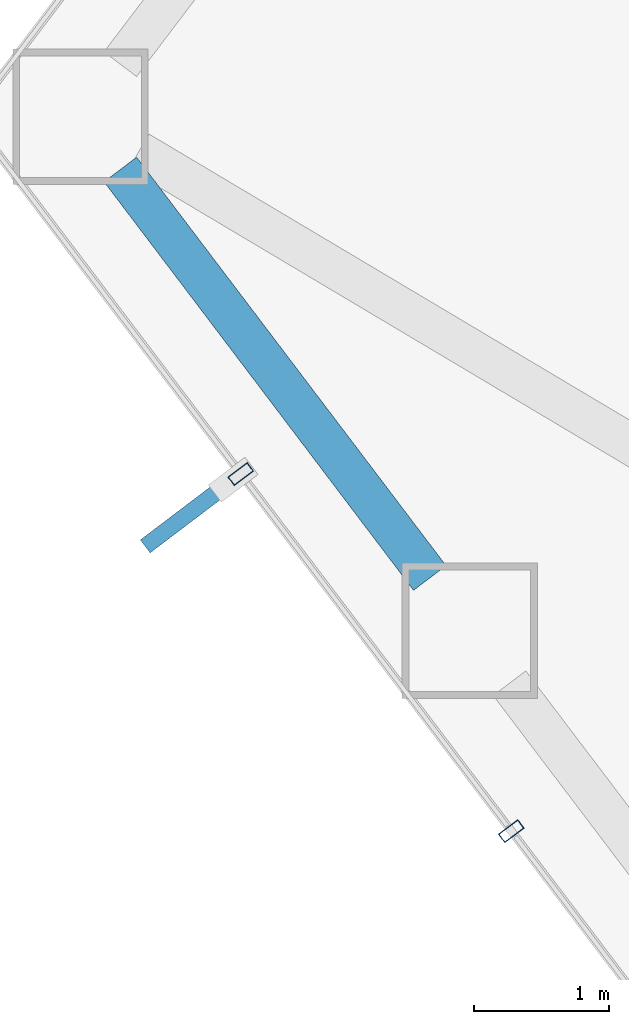
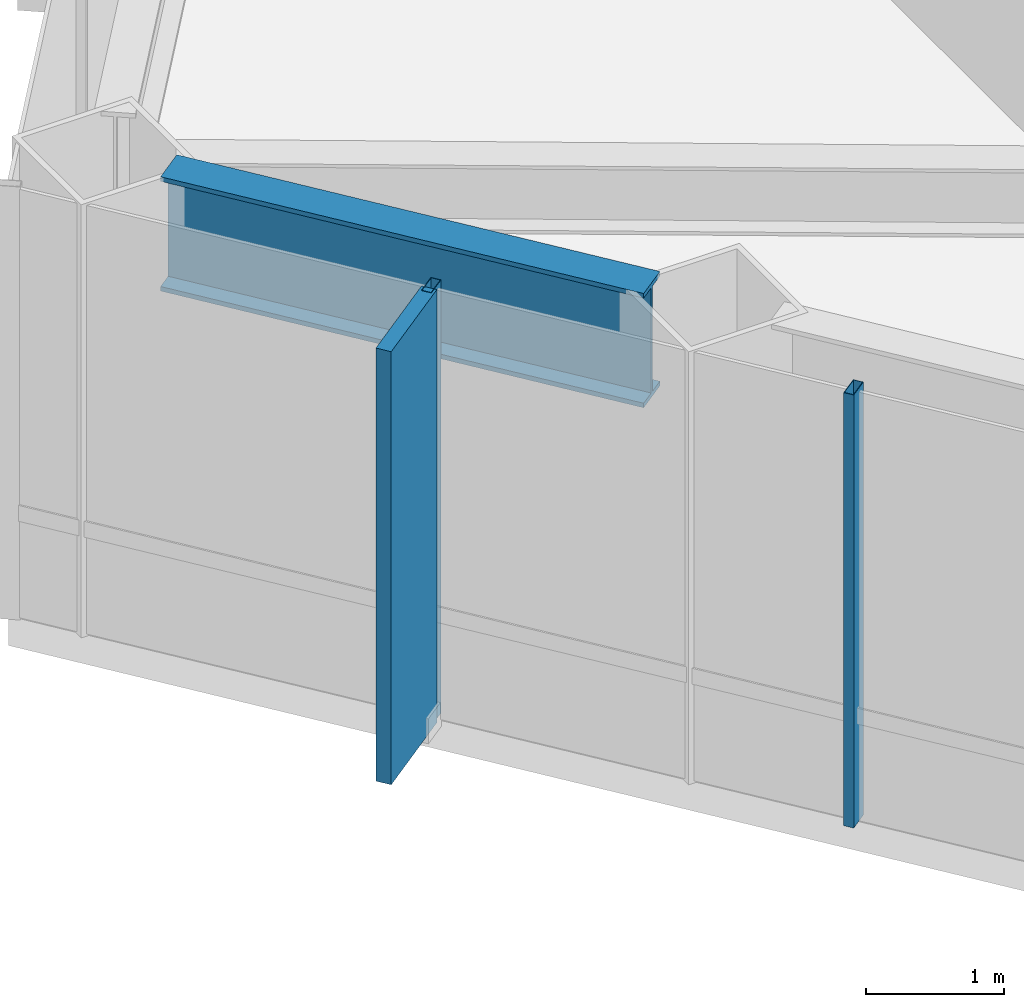
# One storey, part 4 of 25: 3 members, 1 beam, 1 element without a shape of its own.
"""IFC4 building model written with IfcOpenShell, lengths in metres."""

from ifc_helpers import new_model, si_unit, direction, frame, origin, origin_2d, place, context, subcontext, project, spatial, rectangle, hollow_rectangle, i_section, extrude, material, layer, layer_set, material_profile, profile_set, type_object, element, aggregate, save


model = new_model("IFC4")

# Units and contexts
model_context = context("Model", 3, precision=1e-05, world=origin(), true_north=direction((0.0, 1.0)))
body_context = subcontext(model_context, "Body", "Model", "MODEL_VIEW")
ifc_project = project(units=[si_unit("LENGTHUNIT", "METRE"), si_unit("AREAUNIT", "SQUARE_METRE"), si_unit("VOLUMEUNIT", "CUBIC_METRE"), si_unit("PLANEANGLEUNIT", "RADIAN"), si_unit("MASSUNIT", "GRAM", prefix="KILO")], contexts=[model_context])

# Site, building, storey
site_placement = place(None, origin())
site = spatial("IfcSite", under=ifc_project, at=site_placement, CompositionType="ELEMENT")
building_placement = place(site_placement, origin())
building = spatial("IfcBuilding", under=site, at=building_placement, Name="Zarrinselat Tower", CompositionType="ELEMENT")
storey_placement = place(building_placement, frame((0.0, 0.0, 52.02001953125)))
storey = spatial("IfcBuildingStorey", under=building, at=storey_placement, Name="L12", CompositionType="ELEMENT", Elevation=52.02001953125)

# Beam
ifc_material_1 = material(Name="Steel S460M", Category="steel")
ifc_material_profile_1 = material_profile(ifc_material_1, i_section(OverallWidth=0.302001953125, OverallDepth=1.008056640625, WebThickness=0.02099609375, FlangeThickness=0.0400390625, at=origin_2d()), Name="HEM 1000")
ifc_profile_set_1 = profile_set([ifc_material_profile_1], Name="Steel S460M")
beam_type = type_object("IfcBeamType", Name="BM-HEM1000", PredefinedType="BEAM", material=ifc_profile_set_1)
beam_placement = place(storey_placement, frame((16.787109375, 34.313232421875, 3.31591796875), z_axis=(0.603870096073, -0.797082747943, 0.0), x_axis=(0.797082747943, 0.603870096073, 0.0)))
element("IfcBeam", 1, at=beam_placement, inside=storey, type_object=beam_type, Name="L12 Perimeter Spandrel Girder SP06", PredefinedType="BEAM", context=body_context, shape_type="SweptSolid", body=[
    extrude(i_section(OverallWidth=0.302001953125, OverallDepth=1.008056640625, WebThickness=0.02099609375, FlangeThickness=0.0400390625, at=origin_2d()), origin(), (0.0, 0.0, 1.0), 3.788330078125),
])

# Curtain wall, members
ifc_material_2 = material(Name="Extruded Aluminium Alloy EN AW-6063 T6", Category="aluminium")
ifc_layer = layer(ifc_material_2, 0.18505859375)
ifc_layer_set = layer_set([ifc_layer], Name="Extruded Aluminium Alloy EN AW-6063 T6")
curtain_wall_type = type_object("IfcCurtainWallType", Name="CWS-OFF", PredefinedType="NOTDEFINED", material=ifc_layer_set)
curtain_wall_placement = place(storey_placement, origin())
curtain_wall = element("IfcCurtainWall", 2, at=curtain_wall_placement, inside=storey, type_object=curtain_wall_type, Name="L12 Unitised Curtain Wall CW-L12-E03", PredefinedType="NOTDEFINED")
ifc_material_3 = material(Name="Extruded Aluminium Alloy EN AW-6063 T6", Category="aluminium")
ifc_material_profile_2 = material_profile(ifc_material_3, hollow_rectangle(XDim=0.080078125, YDim=0.179931640625, WallThickness=0.0048828125, at=origin_2d()), Name="RHS 180x80x5")
ifc_profile_set_2 = profile_set([ifc_material_profile_2], Name="Extruded Aluminium Alloy EN AW-6063 T6")
member_type_1 = type_object("IfcMemberType", Name="MEM-CW-MUL", PredefinedType="MULLION", material=ifc_profile_set_2)
member_1_placement = place(storey_placement, frame((17.677001953125, 32.06201171875, 0.0), z_axis=(0.0, 0.0, 1.0), x_axis=(0.603861563254, -0.797089212337, 0.0)))
member_1 = element("IfcMember", 3, at=member_1_placement, type_object=member_type_1, Name="CW-L12-E03 Mullion 1", PredefinedType="MULLION", context=body_context, shape_type="SweptSolid", body=[
    extrude(hollow_rectangle(XDim=0.080078125, YDim=0.179931640625, WallThickness=0.0048828125, at=origin_2d()), origin(), (0.0, 0.0, 1.0), 3.820068359375),
])
member_2_placement = place(storey_placement, frame((19.677001953125, 29.422119140625, 0.0), z_axis=(0.0, 0.0, 1.0), x_axis=(0.603861563254, -0.797089212337, 0.0)))
member_2 = element("IfcMember", 4, at=member_2_placement, type_object=member_type_1, Name="CW-L12-E03 Mullion 2", PredefinedType="MULLION", context=body_context, shape_type="SweptSolid", body=[
    extrude(hollow_rectangle(XDim=0.080078125, YDim=0.179931640625, WallThickness=0.0048828125, at=origin_2d()), origin(), (0.0, 0.0, 1.0), 3.820068359375),
])
ifc_material_4 = material(Name="Honed Cream Travertine Stone", Category="masonry")
ifc_material_profile_3 = material_profile(ifc_material_4, rectangle(XDim=0.1201171875, YDim=0.85009765625, at=origin_2d()), Name="FIN 850x120")
ifc_profile_set_3 = profile_set([ifc_material_profile_3], Name="Honed Cream Travertine Stone")
member_type_2 = type_object("IfcMemberType", Name="MEM-STONE-FIN", PredefinedType="USERDEFINED", material=ifc_profile_set_3)
member_3_placement = place(storey_placement, frame((17.310302734375, 31.7841796875, 0.0), z_axis=(0.0, 0.0, 1.0), x_axis=(-0.603861563254, 0.797089212337, 0.0)))
member_3 = element("IfcMember", 5, at=member_3_placement, type_object=member_type_2, Name="L12 Stone Shading Fin CW-L12-E03-01", ObjectType="FIN", PredefinedType="USERDEFINED", context=body_context, shape_type="SweptSolid", body=[
    extrude(rectangle(XDim=0.1201171875, YDim=0.85009765625, at=origin_2d()), origin(), (0.0, 0.0, 1.0), 3.820068359375),
])
aggregate(curtain_wall, [member_1, member_3, member_2])

save(model, "model.ifc")
